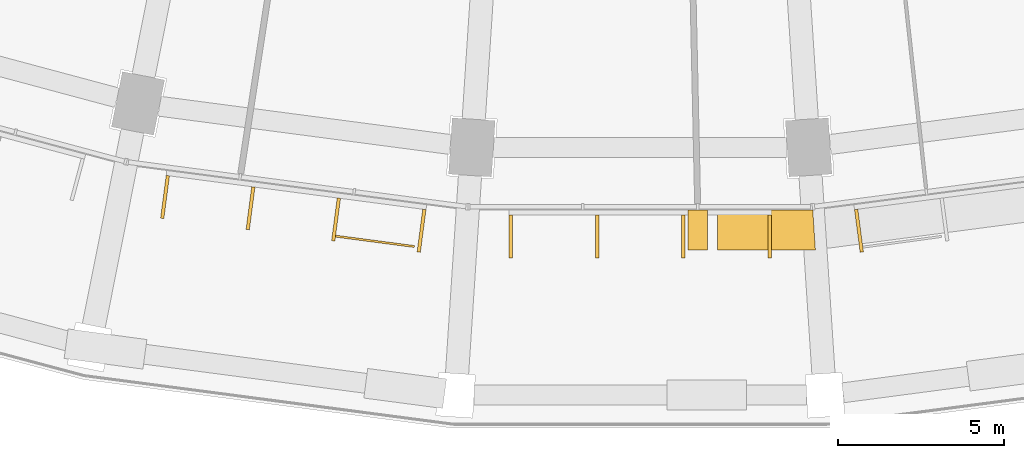
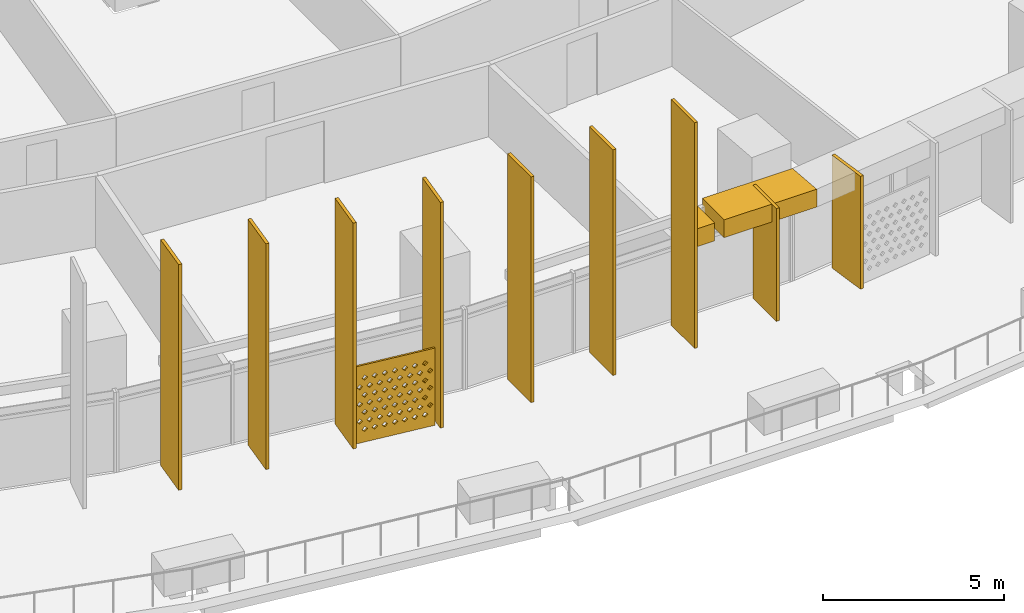
# One storey, part 29 of 35: 12 shading devices.
"""IFC4 building model written with IfcOpenShell, lengths in metres."""

from ifc_helpers import new_model, si_unit, direction, frame, origin, origin_2d, place, context, subcontext, project, spatial, polyline, rectangle, outline, extrude, material, material_profile, profile_set, type_object, element, save


model = new_model("IFC4")

# Units and contexts
model_context = context("Model", 3, precision=1e-05, world=origin(), true_north=direction((0.0, 1.0)))
body_context = subcontext(model_context, "Body", "Model", "MODEL_VIEW")
ifc_project = project(units=[si_unit("LENGTHUNIT", "METRE"), si_unit("AREAUNIT", "SQUARE_METRE"), si_unit("VOLUMEUNIT", "CUBIC_METRE"), si_unit("PLANEANGLEUNIT", "RADIAN"), si_unit("MASSUNIT", "GRAM", prefix="KILO")], contexts=[model_context])

# Site, building, storey
site_placement = place(None, origin())
site = spatial("IfcSite", under=ifc_project, at=site_placement, CompositionType="ELEMENT")
building_placement = place(site_placement, origin())
building = spatial("IfcBuilding", under=site, at=building_placement, Name="Qamariyya Broadcast Tower", CompositionType="ELEMENT")
storey_placement = place(building_placement, frame((0.0, 0.0, 40.5)))
storey = spatial("IfcBuildingStorey", under=building, at=storey_placement, Name="L06", CompositionType="ELEMENT", Elevation=40.5)

# Shading devices
ifc_material_1 = material(Name="Steel S355 powder coated deep red", Category="steel")
shading_device_type_1 = type_object("IfcShadingDeviceType", Name="Deep red frame, powder coated steel box section", PredefinedType="USERDEFINED", material=ifc_material_1)
shading_device_1_placement = place(storey_placement, frame((0.0, 0.0, 3.199951171875)))
element("IfcShadingDevice", 1, at=shading_device_1_placement, inside=storey, type_object=shading_device_type_1, Name="e-frm-B1-F4-posta-L06", ObjectType="FRAME", PredefinedType="USERDEFINED", context=body_context, shape_type="SweptSolid", body=[
    extrude(outline(polyline([(1.4365234375, -79.4794921875), (1.4365234375, -80.679443359375), (2.036376953125, -80.679443359375), (2.036376953125, -79.4794921875), (1.4365234375, -79.4794921875)])), origin(), (0.0, 0.0, 1.0), 0.60009765625),
])
shading_device_2_placement = place(storey_placement, frame((0.0, 0.0, 3.199951171875)))
element("IfcShadingDevice", 2, at=shading_device_2_placement, inside=storey, type_object=shading_device_type_1, Name="e-frm-B1-F4-bot0", ObjectType="FRAME", PredefinedType="USERDEFINED", context=body_context, shape_type="SweptSolid", body=[
    extrude(outline(polyline([(2.33642578125, -79.4794921875), (2.33642578125, -80.679443359375), (5.2880859375, -80.679443359375), (5.20947265625, -79.4794921875), (2.33642578125, -79.4794921875)])), origin(), (0.0, 0.0, 1.0), 0.60009765625),
])
ifc_material_2 = material(Name="Perforated glazed terracotta", Category="masonry")
ifc_material_profile_1 = material_profile(ifc_material_2, outline(polyline([(-1.199951171875, -1.300048828125), (1.199951171875, -1.300048828125), (1.199951171875, 1.300048828125), (-1.199951171875, 1.300048828125), (-1.199951171875, -1.300048828125)]), holes=[polyline([(-0.81494140625, -0.86669921875), (-0.89990234375, -0.78173828125), (-0.985107421875, -0.86669921875), (-0.89990234375, -0.95166015625), (-0.81494140625, -0.86669921875)]), polyline([(-0.514892578125, -0.86669921875), (-0.60009765625, -0.78173828125), (-0.68505859375, -0.86669921875), (-0.60009765625, -0.95166015625), (-0.514892578125, -0.86669921875)]), polyline([(-0.215087890625, -0.86669921875), (-0.300048828125, -0.78173828125), (-0.385009765625, -0.86669921875), (-0.300048828125, -0.95166015625), (-0.215087890625, -0.86669921875)]), polyline([(0.0849609375, -0.86669921875), (0.0, -0.78173828125), (-0.0849609375, -0.86669921875), (0.0, -0.95166015625), (0.0849609375, -0.86669921875)]), polyline([(0.385009765625, -0.86669921875), (0.300048828125, -0.78173828125), (0.215087890625, -0.86669921875), (0.300048828125, -0.95166015625), (0.385009765625, -0.86669921875)]), polyline([(0.68505859375, -0.86669921875), (0.60009765625, -0.78173828125), (0.514892578125, -0.86669921875), (0.60009765625, -0.95166015625), (0.68505859375, -0.86669921875)]), polyline([(0.985107421875, -0.86669921875), (0.89990234375, -0.78173828125), (0.81494140625, -0.86669921875), (0.89990234375, -0.95166015625), (0.985107421875, -0.86669921875)]), polyline([(-0.965087890625, -0.577880859375), (-1.050048828125, -0.49267578125), (-1.135009765625, -0.577880859375), (-1.050048828125, -0.662841796875), (-0.965087890625, -0.577880859375)]), polyline([(-0.6650390625, -0.577880859375), (-0.75, -0.49267578125), (-0.8349609375, -0.577880859375), (-0.75, -0.662841796875), (-0.6650390625, -0.577880859375)]), polyline([(-0.364990234375, -0.577880859375), (-0.449951171875, -0.49267578125), (-0.534912109375, -0.577880859375), (-0.449951171875, -0.662841796875), (-0.364990234375, -0.577880859375)]), polyline([(-0.06494140625, -0.577880859375), (-0.14990234375, -0.49267578125), (-0.235107421875, -0.577880859375), (-0.14990234375, -0.662841796875), (-0.06494140625, -0.577880859375)]), polyline([(0.235107421875, -0.577880859375), (0.14990234375, -0.49267578125), (0.06494140625, -0.577880859375), (0.14990234375, -0.662841796875), (0.235107421875, -0.577880859375)]), polyline([(0.534912109375, -0.577880859375), (0.449951171875, -0.49267578125), (0.364990234375, -0.577880859375), (0.449951171875, -0.662841796875), (0.534912109375, -0.577880859375)]), polyline([(0.8349609375, -0.577880859375), (0.75, -0.49267578125), (0.6650390625, -0.577880859375), (0.75, -0.662841796875), (0.8349609375, -0.577880859375)]), polyline([(1.135009765625, -0.577880859375), (1.050048828125, -0.49267578125), (0.965087890625, -0.577880859375), (1.050048828125, -0.662841796875), (1.135009765625, -0.577880859375)]), polyline([(-0.81494140625, -0.288818359375), (-0.89990234375, -0.203857421875), (-0.985107421875, -0.288818359375), (-0.89990234375, -0.373779296875), (-0.81494140625, -0.288818359375)]), polyline([(-0.514892578125, -0.288818359375), (-0.60009765625, -0.203857421875), (-0.68505859375, -0.288818359375), (-0.60009765625, -0.373779296875), (-0.514892578125, -0.288818359375)]), polyline([(-0.215087890625, -0.288818359375), (-0.300048828125, -0.203857421875), (-0.385009765625, -0.288818359375), (-0.300048828125, -0.373779296875), (-0.215087890625, -0.288818359375)]), polyline([(0.0849609375, -0.288818359375), (0.0, -0.203857421875), (-0.0849609375, -0.288818359375), (0.0, -0.373779296875), (0.0849609375, -0.288818359375)]), polyline([(0.385009765625, -0.288818359375), (0.300048828125, -0.203857421875), (0.215087890625, -0.288818359375), (0.300048828125, -0.373779296875), (0.385009765625, -0.288818359375)]), polyline([(0.68505859375, -0.288818359375), (0.60009765625, -0.203857421875), (0.514892578125, -0.288818359375), (0.60009765625, -0.373779296875), (0.68505859375, -0.288818359375)]), polyline([(0.985107421875, -0.288818359375), (0.89990234375, -0.203857421875), (0.81494140625, -0.288818359375), (0.89990234375, -0.373779296875), (0.985107421875, -0.288818359375)]), polyline([(-0.965087890625, 0.0), (-1.050048828125, 0.0849609375), (-1.135009765625, 0.0), (-1.050048828125, -0.0849609375), (-0.965087890625, 0.0)]), polyline([(-0.6650390625, 0.0), (-0.75, 0.0849609375), (-0.8349609375, 0.0), (-0.75, -0.0849609375), (-0.6650390625, 0.0)]), polyline([(-0.364990234375, 0.0), (-0.449951171875, 0.0849609375), (-0.534912109375, 0.0), (-0.449951171875, -0.0849609375), (-0.364990234375, 0.0)]), polyline([(-0.06494140625, 0.0), (-0.14990234375, 0.0849609375), (-0.235107421875, 0.0), (-0.14990234375, -0.0849609375), (-0.06494140625, 0.0)]), polyline([(0.235107421875, 0.0), (0.14990234375, 0.0849609375), (0.06494140625, 0.0), (0.14990234375, -0.0849609375), (0.235107421875, 0.0)]), polyline([(0.534912109375, 0.0), (0.449951171875, 0.0849609375), (0.364990234375, 0.0), (0.449951171875, -0.0849609375), (0.534912109375, 0.0)]), polyline([(0.8349609375, 0.0), (0.75, 0.0849609375), (0.6650390625, 0.0), (0.75, -0.0849609375), (0.8349609375, 0.0)]), polyline([(1.135009765625, 0.0), (1.050048828125, 0.0849609375), (0.965087890625, 0.0), (1.050048828125, -0.0849609375), (1.135009765625, 0.0)]), polyline([(-0.81494140625, 0.288818359375), (-0.89990234375, 0.373779296875), (-0.985107421875, 0.288818359375), (-0.89990234375, 0.203857421875), (-0.81494140625, 0.288818359375)]), polyline([(-0.514892578125, 0.288818359375), (-0.60009765625, 0.373779296875), (-0.68505859375, 0.288818359375), (-0.60009765625, 0.203857421875), (-0.514892578125, 0.288818359375)]), polyline([(-0.215087890625, 0.288818359375), (-0.300048828125, 0.373779296875), (-0.385009765625, 0.288818359375), (-0.300048828125, 0.203857421875), (-0.215087890625, 0.288818359375)]), polyline([(0.0849609375, 0.288818359375), (0.0, 0.373779296875), (-0.0849609375, 0.288818359375), (0.0, 0.203857421875), (0.0849609375, 0.288818359375)]), polyline([(0.385009765625, 0.288818359375), (0.300048828125, 0.373779296875), (0.215087890625, 0.288818359375), (0.300048828125, 0.203857421875), (0.385009765625, 0.288818359375)]), polyline([(0.68505859375, 0.288818359375), (0.60009765625, 0.373779296875), (0.514892578125, 0.288818359375), (0.60009765625, 0.203857421875), (0.68505859375, 0.288818359375)]), polyline([(0.985107421875, 0.288818359375), (0.89990234375, 0.373779296875), (0.81494140625, 0.288818359375), (0.89990234375, 0.203857421875), (0.985107421875, 0.288818359375)]), polyline([(-0.965087890625, 0.577880859375), (-1.050048828125, 0.662841796875), (-1.135009765625, 0.577880859375), (-1.050048828125, 0.49267578125), (-0.965087890625, 0.577880859375)]), polyline([(-0.6650390625, 0.577880859375), (-0.75, 0.662841796875), (-0.8349609375, 0.577880859375), (-0.75, 0.49267578125), (-0.6650390625, 0.577880859375)]), polyline([(-0.364990234375, 0.577880859375), (-0.449951171875, 0.662841796875), (-0.534912109375, 0.577880859375), (-0.449951171875, 0.49267578125), (-0.364990234375, 0.577880859375)]), polyline([(-0.06494140625, 0.577880859375), (-0.14990234375, 0.662841796875), (-0.235107421875, 0.577880859375), (-0.14990234375, 0.49267578125), (-0.06494140625, 0.577880859375)]), polyline([(0.235107421875, 0.577880859375), (0.14990234375, 0.662841796875), (0.06494140625, 0.577880859375), (0.14990234375, 0.49267578125), (0.235107421875, 0.577880859375)]), polyline([(0.534912109375, 0.577880859375), (0.449951171875, 0.662841796875), (0.364990234375, 0.577880859375), (0.449951171875, 0.49267578125), (0.534912109375, 0.577880859375)]), polyline([(0.8349609375, 0.577880859375), (0.75, 0.662841796875), (0.6650390625, 0.577880859375), (0.75, 0.49267578125), (0.8349609375, 0.577880859375)]), polyline([(1.135009765625, 0.577880859375), (1.050048828125, 0.662841796875), (0.965087890625, 0.577880859375), (1.050048828125, 0.49267578125), (1.135009765625, 0.577880859375)]), polyline([(-0.81494140625, 0.86669921875), (-0.89990234375, 0.95166015625), (-0.985107421875, 0.86669921875), (-0.89990234375, 0.78173828125), (-0.81494140625, 0.86669921875)]), polyline([(-0.514892578125, 0.86669921875), (-0.60009765625, 0.95166015625), (-0.68505859375, 0.86669921875), (-0.60009765625, 0.78173828125), (-0.514892578125, 0.86669921875)]), polyline([(-0.215087890625, 0.86669921875), (-0.300048828125, 0.95166015625), (-0.385009765625, 0.86669921875), (-0.300048828125, 0.78173828125), (-0.215087890625, 0.86669921875)]), polyline([(0.0849609375, 0.86669921875), (0.0, 0.95166015625), (-0.0849609375, 0.86669921875), (0.0, 0.78173828125), (0.0849609375, 0.86669921875)]), polyline([(0.385009765625, 0.86669921875), (0.300048828125, 0.95166015625), (0.215087890625, 0.86669921875), (0.300048828125, 0.78173828125), (0.385009765625, 0.86669921875)]), polyline([(0.68505859375, 0.86669921875), (0.60009765625, 0.95166015625), (0.514892578125, 0.86669921875), (0.60009765625, 0.78173828125), (0.68505859375, 0.86669921875)]), polyline([(0.985107421875, 0.86669921875), (0.89990234375, 0.95166015625), (0.81494140625, 0.86669921875), (0.89990234375, 0.78173828125), (0.985107421875, 0.86669921875)])]))
ifc_profile_set_1 = profile_set([ifc_material_profile_1], Name="Perforated glazed terracotta")
shading_device_type_2 = type_object("IfcShadingDeviceType", Name="Perforated terracotta screen 2400 x 2600", PredefinedType="USERDEFINED", material=ifc_profile_set_1)
shading_device_3_placement = place(storey_placement, frame((-8.009521484375, -80.391845703125, 1.35009765625), z_axis=(-0.13056005306, -0.991440402921, 0.0), x_axis=(0.991440402921, -0.13056005306, 0.0)))
element("IfcShadingDevice", 3, at=shading_device_3_placement, inside=storey, type_object=shading_device_type_2, Name="e-scr-L06-07-2", ObjectType="SCREEN", PredefinedType="USERDEFINED", context=body_context, shape_type="SweptSolid", body=[
    extrude(outline(polyline([(-1.199951171875, -1.300048828125), (1.199951171875, -1.300048828125), (1.199951171875, 1.300048828125), (-1.199951171875, 1.300048828125), (-1.199951171875, -1.300048828125)]), holes=[polyline([(-0.81494140625, -0.86669921875), (-0.89990234375, -0.78173828125), (-0.985107421875, -0.86669921875), (-0.89990234375, -0.95166015625), (-0.81494140625, -0.86669921875)]), polyline([(-0.514892578125, -0.86669921875), (-0.60009765625, -0.78173828125), (-0.68505859375, -0.86669921875), (-0.60009765625, -0.95166015625), (-0.514892578125, -0.86669921875)]), polyline([(-0.215087890625, -0.86669921875), (-0.300048828125, -0.78173828125), (-0.385009765625, -0.86669921875), (-0.300048828125, -0.95166015625), (-0.215087890625, -0.86669921875)]), polyline([(0.0849609375, -0.86669921875), (0.0, -0.78173828125), (-0.0849609375, -0.86669921875), (0.0, -0.95166015625), (0.0849609375, -0.86669921875)]), polyline([(0.385009765625, -0.86669921875), (0.300048828125, -0.78173828125), (0.215087890625, -0.86669921875), (0.300048828125, -0.95166015625), (0.385009765625, -0.86669921875)]), polyline([(0.68505859375, -0.86669921875), (0.60009765625, -0.78173828125), (0.514892578125, -0.86669921875), (0.60009765625, -0.95166015625), (0.68505859375, -0.86669921875)]), polyline([(0.985107421875, -0.86669921875), (0.89990234375, -0.78173828125), (0.81494140625, -0.86669921875), (0.89990234375, -0.95166015625), (0.985107421875, -0.86669921875)]), polyline([(-0.965087890625, -0.577880859375), (-1.050048828125, -0.49267578125), (-1.135009765625, -0.577880859375), (-1.050048828125, -0.662841796875), (-0.965087890625, -0.577880859375)]), polyline([(-0.6650390625, -0.577880859375), (-0.75, -0.49267578125), (-0.8349609375, -0.577880859375), (-0.75, -0.662841796875), (-0.6650390625, -0.577880859375)]), polyline([(-0.364990234375, -0.577880859375), (-0.449951171875, -0.49267578125), (-0.534912109375, -0.577880859375), (-0.449951171875, -0.662841796875), (-0.364990234375, -0.577880859375)]), polyline([(-0.06494140625, -0.577880859375), (-0.14990234375, -0.49267578125), (-0.235107421875, -0.577880859375), (-0.14990234375, -0.662841796875), (-0.06494140625, -0.577880859375)]), polyline([(0.235107421875, -0.577880859375), (0.14990234375, -0.49267578125), (0.06494140625, -0.577880859375), (0.14990234375, -0.662841796875), (0.235107421875, -0.577880859375)]), polyline([(0.534912109375, -0.577880859375), (0.449951171875, -0.49267578125), (0.364990234375, -0.577880859375), (0.449951171875, -0.662841796875), (0.534912109375, -0.577880859375)]), polyline([(0.8349609375, -0.577880859375), (0.75, -0.49267578125), (0.6650390625, -0.577880859375), (0.75, -0.662841796875), (0.8349609375, -0.577880859375)]), polyline([(1.135009765625, -0.577880859375), (1.050048828125, -0.49267578125), (0.965087890625, -0.577880859375), (1.050048828125, -0.662841796875), (1.135009765625, -0.577880859375)]), polyline([(-0.81494140625, -0.288818359375), (-0.89990234375, -0.203857421875), (-0.985107421875, -0.288818359375), (-0.89990234375, -0.373779296875), (-0.81494140625, -0.288818359375)]), polyline([(-0.514892578125, -0.288818359375), (-0.60009765625, -0.203857421875), (-0.68505859375, -0.288818359375), (-0.60009765625, -0.373779296875), (-0.514892578125, -0.288818359375)]), polyline([(-0.215087890625, -0.288818359375), (-0.300048828125, -0.203857421875), (-0.385009765625, -0.288818359375), (-0.300048828125, -0.373779296875), (-0.215087890625, -0.288818359375)]), polyline([(0.0849609375, -0.288818359375), (0.0, -0.203857421875), (-0.0849609375, -0.288818359375), (0.0, -0.373779296875), (0.0849609375, -0.288818359375)]), polyline([(0.385009765625, -0.288818359375), (0.300048828125, -0.203857421875), (0.215087890625, -0.288818359375), (0.300048828125, -0.373779296875), (0.385009765625, -0.288818359375)]), polyline([(0.68505859375, -0.288818359375), (0.60009765625, -0.203857421875), (0.514892578125, -0.288818359375), (0.60009765625, -0.373779296875), (0.68505859375, -0.288818359375)]), polyline([(0.985107421875, -0.288818359375), (0.89990234375, -0.203857421875), (0.81494140625, -0.288818359375), (0.89990234375, -0.373779296875), (0.985107421875, -0.288818359375)]), polyline([(-0.965087890625, 0.0), (-1.050048828125, 0.0849609375), (-1.135009765625, 0.0), (-1.050048828125, -0.0849609375), (-0.965087890625, 0.0)]), polyline([(-0.6650390625, 0.0), (-0.75, 0.0849609375), (-0.8349609375, 0.0), (-0.75, -0.0849609375), (-0.6650390625, 0.0)]), polyline([(-0.364990234375, 0.0), (-0.449951171875, 0.0849609375), (-0.534912109375, 0.0), (-0.449951171875, -0.0849609375), (-0.364990234375, 0.0)]), polyline([(-0.06494140625, 0.0), (-0.14990234375, 0.0849609375), (-0.235107421875, 0.0), (-0.14990234375, -0.0849609375), (-0.06494140625, 0.0)]), polyline([(0.235107421875, 0.0), (0.14990234375, 0.0849609375), (0.06494140625, 0.0), (0.14990234375, -0.0849609375), (0.235107421875, 0.0)]), polyline([(0.534912109375, 0.0), (0.449951171875, 0.0849609375), (0.364990234375, 0.0), (0.449951171875, -0.0849609375), (0.534912109375, 0.0)]), polyline([(0.8349609375, 0.0), (0.75, 0.0849609375), (0.6650390625, 0.0), (0.75, -0.0849609375), (0.8349609375, 0.0)]), polyline([(1.135009765625, 0.0), (1.050048828125, 0.0849609375), (0.965087890625, 0.0), (1.050048828125, -0.0849609375), (1.135009765625, 0.0)]), polyline([(-0.81494140625, 0.288818359375), (-0.89990234375, 0.373779296875), (-0.985107421875, 0.288818359375), (-0.89990234375, 0.203857421875), (-0.81494140625, 0.288818359375)]), polyline([(-0.514892578125, 0.288818359375), (-0.60009765625, 0.373779296875), (-0.68505859375, 0.288818359375), (-0.60009765625, 0.203857421875), (-0.514892578125, 0.288818359375)]), polyline([(-0.215087890625, 0.288818359375), (-0.300048828125, 0.373779296875), (-0.385009765625, 0.288818359375), (-0.300048828125, 0.203857421875), (-0.215087890625, 0.288818359375)]), polyline([(0.0849609375, 0.288818359375), (0.0, 0.373779296875), (-0.0849609375, 0.288818359375), (0.0, 0.203857421875), (0.0849609375, 0.288818359375)]), polyline([(0.385009765625, 0.288818359375), (0.300048828125, 0.373779296875), (0.215087890625, 0.288818359375), (0.300048828125, 0.203857421875), (0.385009765625, 0.288818359375)]), polyline([(0.68505859375, 0.288818359375), (0.60009765625, 0.373779296875), (0.514892578125, 0.288818359375), (0.60009765625, 0.203857421875), (0.68505859375, 0.288818359375)]), polyline([(0.985107421875, 0.288818359375), (0.89990234375, 0.373779296875), (0.81494140625, 0.288818359375), (0.89990234375, 0.203857421875), (0.985107421875, 0.288818359375)]), polyline([(-0.965087890625, 0.577880859375), (-1.050048828125, 0.662841796875), (-1.135009765625, 0.577880859375), (-1.050048828125, 0.49267578125), (-0.965087890625, 0.577880859375)]), polyline([(-0.6650390625, 0.577880859375), (-0.75, 0.662841796875), (-0.8349609375, 0.577880859375), (-0.75, 0.49267578125), (-0.6650390625, 0.577880859375)]), polyline([(-0.364990234375, 0.577880859375), (-0.449951171875, 0.662841796875), (-0.534912109375, 0.577880859375), (-0.449951171875, 0.49267578125), (-0.364990234375, 0.577880859375)]), polyline([(-0.06494140625, 0.577880859375), (-0.14990234375, 0.662841796875), (-0.235107421875, 0.577880859375), (-0.14990234375, 0.49267578125), (-0.06494140625, 0.577880859375)]), polyline([(0.235107421875, 0.577880859375), (0.14990234375, 0.662841796875), (0.06494140625, 0.577880859375), (0.14990234375, 0.49267578125), (0.235107421875, 0.577880859375)]), polyline([(0.534912109375, 0.577880859375), (0.449951171875, 0.662841796875), (0.364990234375, 0.577880859375), (0.449951171875, 0.49267578125), (0.534912109375, 0.577880859375)]), polyline([(0.8349609375, 0.577880859375), (0.75, 0.662841796875), (0.6650390625, 0.577880859375), (0.75, 0.49267578125), (0.8349609375, 0.577880859375)]), polyline([(1.135009765625, 0.577880859375), (1.050048828125, 0.662841796875), (0.965087890625, 0.577880859375), (1.050048828125, 0.49267578125), (1.135009765625, 0.577880859375)]), polyline([(-0.81494140625, 0.86669921875), (-0.89990234375, 0.95166015625), (-0.985107421875, 0.86669921875), (-0.89990234375, 0.78173828125), (-0.81494140625, 0.86669921875)]), polyline([(-0.514892578125, 0.86669921875), (-0.60009765625, 0.95166015625), (-0.68505859375, 0.86669921875), (-0.60009765625, 0.78173828125), (-0.514892578125, 0.86669921875)]), polyline([(-0.215087890625, 0.86669921875), (-0.300048828125, 0.95166015625), (-0.385009765625, 0.86669921875), (-0.300048828125, 0.78173828125), (-0.215087890625, 0.86669921875)]), polyline([(0.0849609375, 0.86669921875), (0.0, 0.95166015625), (-0.0849609375, 0.86669921875), (0.0, 0.78173828125), (0.0849609375, 0.86669921875)]), polyline([(0.385009765625, 0.86669921875), (0.300048828125, 0.95166015625), (0.215087890625, 0.86669921875), (0.300048828125, 0.78173828125), (0.385009765625, 0.86669921875)]), polyline([(0.68505859375, 0.86669921875), (0.60009765625, 0.95166015625), (0.514892578125, 0.86669921875), (0.60009765625, 0.78173828125), (0.68505859375, 0.86669921875)]), polyline([(0.985107421875, 0.86669921875), (0.89990234375, 0.95166015625), (0.81494140625, 0.86669921875), (0.89990234375, 0.78173828125), (0.985107421875, 0.86669921875)])]), origin(), (0.0, 0.0, 1.0), 0.059814453125),
])
ifc_material_3 = material(Name="Glazed terracotta", Category="masonry")
ifc_material_profile_2 = material_profile(ifc_material_3, rectangle(XDim=1.300048828125, YDim=0.10009765625, at=origin_2d()))
ifc_profile_set_2 = profile_set([ifc_material_profile_2], Name="Glazed terracotta")
shading_device_type_3 = type_object("IfcShadingDeviceType", Name="Terracotta fin 100 x 1300", PredefinedType="USERDEFINED", material=ifc_profile_set_2)
for number, where, z_axis, x_axis, name in (
    (4, (-14.35205078125, -79.082763671875, 0.0), (0.0, 0.0, 1.0), (-0.13052619222, -0.991444861374, 0.0), "e-fin-L06-07-0"),
    (5, (-11.769775390625, -79.422607421875, 0.0), (0.0, 0.0, 1.0), (-0.13052619222, -0.991444861374, 0.0), "e-fin-L06-07-1"),
    (6, (-9.187255859375, -79.7626953125, 0.0), (0.0, 0.0, 1.0), (-0.13052619222, -0.991444861374, 0.0), "e-fin-L06-07-2"),
    (7, (-6.60498046875, -80.1025390625, 0.0), (0.0, 0.0, 1.0), (-0.13052619222, -0.991444861374, 0.0), "e-fin-L06-07-3"),
    (8, (-3.906982421875, -80.279541015625, 0.0), (0.0, 0.0, 1.0), (0.0, -1.0, 0.0), "e-fin-L06-08-0"),
    (9, (-1.30224609375, -80.279541015625, 0.0), (0.0, 0.0, 1.0), (0.0, -1.0, 0.0), "e-fin-L06-08-1"),
    (10, (1.30224609375, -80.279541015625, 0.0), (0.0, 0.0, 1.0), (0.0, -1.0, 0.0), "e-fin-L06-08-2"),
):
    element("IfcShadingDevice", number, at=place(storey_placement, frame(where, z_axis=z_axis, x_axis=x_axis)), inside=storey, type_object=shading_device_type_3, Name=name, ObjectType="FIN", PredefinedType="USERDEFINED", context=body_context, shape_type="SweptSolid", body=[
        extrude(rectangle(XDim=1.300048828125, YDim=0.10009765625, at=origin_2d()), origin(), (0.0, 0.0, 1.0), 7.60009765625),
    ])
for number, where, z_axis, x_axis, name in (
    (11, (3.906982421875, -80.279541015625, 0.0), (0.0, 0.0, 1.0), (0.0, -1.0, 0.0), "e-fin-L06-08-3"),
    (12, (6.60498046875, -80.1025390625, 0.0), (0.0, 0.0, 1.0), (0.13052619222, -0.991444861374, 0.0), "e-fin-L06-09-0"),
):
    element("IfcShadingDevice", number, at=place(storey_placement, frame(where, z_axis=z_axis, x_axis=x_axis)), inside=storey, type_object=shading_device_type_3, Name=name, ObjectType="FIN", PredefinedType="USERDEFINED", context=body_context, shape_type="SweptSolid", body=[
        extrude(rectangle(XDim=1.300048828125, YDim=0.10009765625, at=origin_2d()), origin(), (0.0, 0.0, 1.0), 3.800048828125),
    ])

save(model, "model.ifc")
